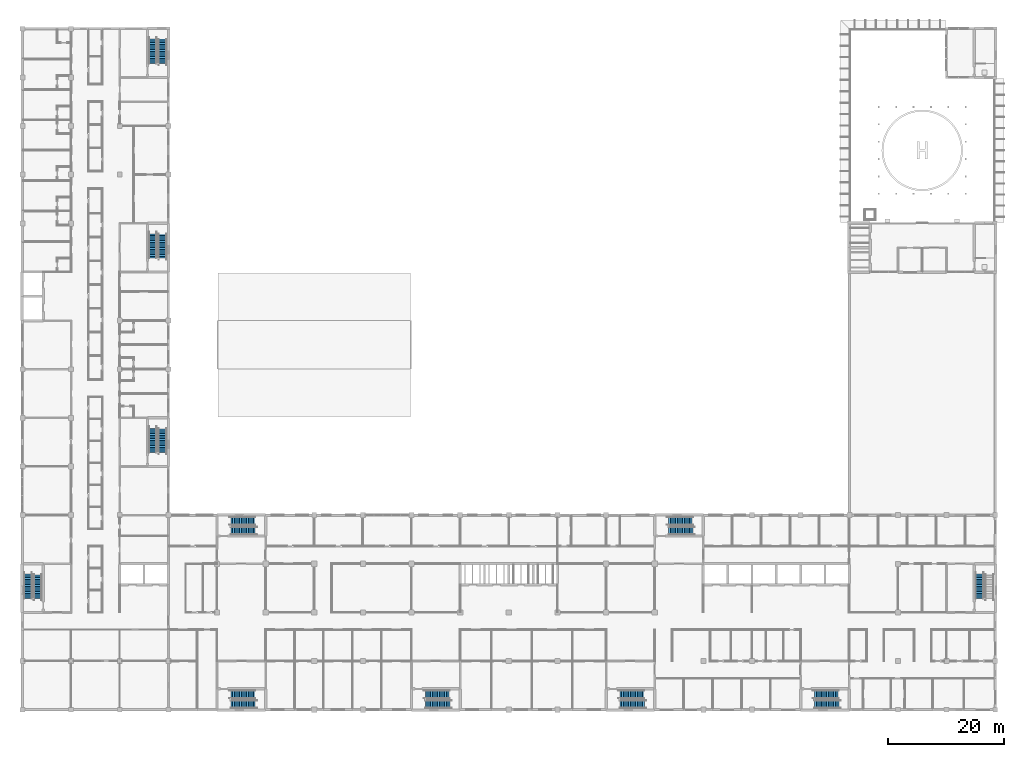
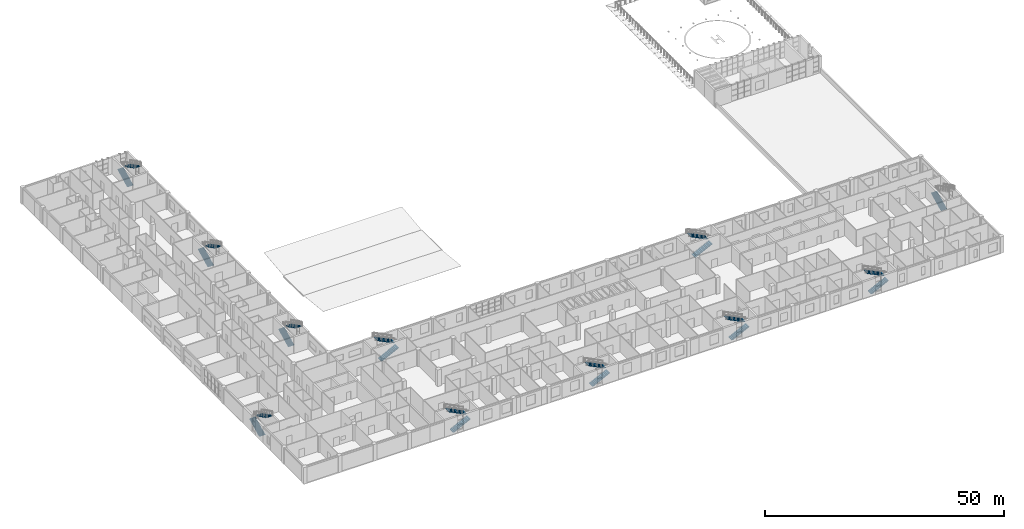
# One storey, part 51 of 66: 21 stair flights, 11 elements without a shape of their own.
"""IFC4 building model written with IfcOpenShell, lengths in metres."""

from ifc_helpers import new_model, si_unit, direction, frame, origin, place, context, subcontext, project, spatial, polyline, outline, extrude, material, type_object, element, aggregate, save


model = new_model("IFC4")

# Units and contexts
model_context = context("Model", 3, precision=1e-05, world=origin(), true_north=direction((0.0, 1.0)))
body_context = subcontext(model_context, "Body", "Model", "MODEL_VIEW")
ifc_project = project(units=[si_unit("LENGTHUNIT", "METRE"), si_unit("AREAUNIT", "SQUARE_METRE"), si_unit("VOLUMEUNIT", "CUBIC_METRE"), si_unit("PLANEANGLEUNIT", "RADIAN"), si_unit("MASSUNIT", "GRAM", prefix="KILO")], contexts=[model_context])

# Site, building, storey
site_placement = place(None, origin())
site = spatial("IfcSite", under=ifc_project, at=site_placement, CompositionType="ELEMENT")
building_placement = place(site_placement, origin())
building = spatial("IfcBuilding", under=site, at=building_placement, Name="Yavir Park General Hospital", CompositionType="ELEMENT")
storey_placement = place(building_placement, frame((0.0, 0.0, 8.39990234375)))
storey = spatial("IfcBuildingStorey", under=building, at=storey_placement, Name="L02", CompositionType="ELEMENT", Elevation=8.39990234375)

# Stair, stair flights
ifc_material_1 = material(Name="Concrete C30/37", Category="concrete")
stair_type = type_object("IfcStairType", Name="Patient escape stair, 30 risers of 150 mm, 1400 mm flights", PredefinedType="HALF_TURN_STAIR", material=ifc_material_1)
stair_1_placement = place(storey_placement, origin())
stair_1 = element("IfcStair", 1, at=stair_1_placement, inside=storey, type_object=stair_type, Name="Stair SU1, L02 to I02", PredefinedType="HALF_TURN_STAIR")
ifc_material_2 = material(Name="Concrete C30/37", Category="concrete")
stair_flight_type = type_object("IfcStairFlightType", Name="Patient escape stair flight, 15 risers, 1400 mm wide", PredefinedType="STRAIGHT", material=ifc_material_2)
stair_flight_1_placement = place(storey_placement, frame((0.949951171875, 19.199951171875, 0.0), z_axis=(0.0, 0.0, 1.0), x_axis=(0.0, 1.0, 0.0)))
stair_flight_1 = element("IfcStairFlight", 2, at=stair_flight_1_placement, type_object=stair_flight_type, Name="SU1 flight 1", NumberOfRisers=15, NumberOfTreads=14, PredefinedType="STRAIGHT", RiserHeight=0.15, TreadLength=0.3, context=body_context, shape_type="SweptSolid", body=[
    extrude(outline(polyline([(0.0, 0.0), (0.0, 0.14990234375), (0.300048828125, 0.14990234375), (0.300048828125, 0.300048828125), (0.60009765625, 0.300048828125), (0.60009765625, 0.449951171875), (0.89990234375, 0.449951171875), (0.89990234375, 0.60009765625), (1.199951171875, 0.60009765625), (1.199951171875, 0.75), (1.5, 0.75), (1.5, 0.89990234375), (1.800048828125, 0.89990234375), (1.800048828125, 1.050048828125), (2.10009765625, 1.050048828125), (2.10009765625, 1.199951171875), (2.39990234375, 1.199951171875), (2.39990234375, 1.35009765625), (2.699951171875, 1.35009765625), (2.699951171875, 1.5), (3.0, 1.5), (3.0, 1.64990234375), (3.300048828125, 1.64990234375), (3.300048828125, 1.800048828125), (3.60009765625, 1.800048828125), (3.60009765625, 1.949951171875), (3.89990234375, 1.949951171875), (3.89990234375, 2.10009765625), (4.199951171875, 2.10009765625), (4.199951171875, 2.25), (4.199951171875, 1.921142578125), (0.357666015625, 0.0), (0.0, 0.0)])), frame((0.0, 0.699951171875, 0.0), z_axis=(0.0, -1.0, 0.0), x_axis=(1.0, 0.0, 0.0)), (0.0, 0.0, 1.0), 1.39990234375),
])
stair_flight_2_placement = place(storey_placement, frame((2.64990234375, 23.39990234375, 2.25), z_axis=(0.0, 0.0, 1.0), x_axis=(0.0, -1.0, 0.0)))
stair_flight_2 = element("IfcStairFlight", 3, at=stair_flight_2_placement, type_object=stair_flight_type, Name="SU1 flight 2", NumberOfRisers=15, NumberOfTreads=14, PredefinedType="STRAIGHT", RiserHeight=0.15, TreadLength=0.3, context=body_context, shape_type="SweptSolid", body=[
    extrude(outline(polyline([(0.0, 0.0), (0.0, 0.14990234375), (0.300048828125, 0.14990234375), (0.300048828125, 0.300048828125), (0.60009765625, 0.300048828125), (0.60009765625, 0.449951171875), (0.89990234375, 0.449951171875), (0.89990234375, 0.60009765625), (1.199951171875, 0.60009765625), (1.199951171875, 0.75), (1.5, 0.75), (1.5, 0.89990234375), (1.800048828125, 0.89990234375), (1.800048828125, 1.050048828125), (2.10009765625, 1.050048828125), (2.10009765625, 1.199951171875), (2.39990234375, 1.199951171875), (2.39990234375, 1.35009765625), (2.699951171875, 1.35009765625), (2.699951171875, 1.5), (3.0, 1.5), (3.0, 1.64990234375), (3.300048828125, 1.64990234375), (3.300048828125, 1.800048828125), (3.60009765625, 1.800048828125), (3.60009765625, 1.949951171875), (3.89990234375, 1.949951171875), (3.89990234375, 2.10009765625), (4.199951171875, 2.10009765625), (4.199951171875, 2.25), (4.199951171875, 1.921142578125), (0.357666015625, 0.0), (0.0, 0.0)])), frame((0.0, 0.699951171875, 0.0), z_axis=(0.0, -1.0, 0.0), x_axis=(1.0, 0.0, 0.0)), (0.0, 0.0, 1.0), 1.39990234375),
])
aggregate(stair_1, [stair_flight_1, stair_flight_2])

stair_2_placement = place(storey_placement, origin())
stair_2 = element("IfcStair", 4, at=stair_2_placement, inside=storey, type_object=stair_type, Name="Stair SU2, L02 to I02", PredefinedType="HALF_TURN_STAIR")
stair_flight_3_placement = place(storey_placement, frame((36.0, 0.949951171875, 0.0), z_axis=(0.0, 0.0, 1.0), x_axis=(1.0, 0.0, 0.0)))
stair_flight_3 = element("IfcStairFlight", 5, at=stair_flight_3_placement, type_object=stair_flight_type, Name="SU2 flight 1", NumberOfRisers=15, NumberOfTreads=14, PredefinedType="STRAIGHT", RiserHeight=0.15, TreadLength=0.3, context=body_context, shape_type="SweptSolid", body=[
    extrude(outline(polyline([(0.0, 0.0), (0.0, 0.14990234375), (0.300048828125, 0.14990234375), (0.300048828125, 0.300048828125), (0.60009765625, 0.300048828125), (0.60009765625, 0.449951171875), (0.89990234375, 0.449951171875), (0.89990234375, 0.60009765625), (1.199951171875, 0.60009765625), (1.199951171875, 0.75), (1.5, 0.75), (1.5, 0.89990234375), (1.800048828125, 0.89990234375), (1.800048828125, 1.050048828125), (2.10009765625, 1.050048828125), (2.10009765625, 1.199951171875), (2.39990234375, 1.199951171875), (2.39990234375, 1.35009765625), (2.699951171875, 1.35009765625), (2.699951171875, 1.5), (3.0, 1.5), (3.0, 1.64990234375), (3.300048828125, 1.64990234375), (3.300048828125, 1.800048828125), (3.60009765625, 1.800048828125), (3.60009765625, 1.949951171875), (3.89990234375, 1.949951171875), (3.89990234375, 2.10009765625), (4.199951171875, 2.10009765625), (4.199951171875, 2.25), (4.199951171875, 1.921142578125), (0.357666015625, 0.0), (0.0, 0.0)])), frame((0.0, 0.699951171875, 0.0), z_axis=(0.0, -1.0, 0.0), x_axis=(1.0, 0.0, 0.0)), (0.0, 0.0, 1.0), 1.39990234375),
])
stair_flight_4_placement = place(storey_placement, frame((40.199951171875, 2.64990234375, 2.25), z_axis=(0.0, 0.0, 1.0), x_axis=(-1.0, 0.0, 0.0)))
stair_flight_4 = element("IfcStairFlight", 6, at=stair_flight_4_placement, type_object=stair_flight_type, Name="SU2 flight 2", NumberOfRisers=15, NumberOfTreads=14, PredefinedType="STRAIGHT", RiserHeight=0.15, TreadLength=0.3, context=body_context, shape_type="SweptSolid", body=[
    extrude(outline(polyline([(0.0, 0.0), (0.0, 0.14990234375), (0.300048828125, 0.14990234375), (0.300048828125, 0.300048828125), (0.60009765625, 0.300048828125), (0.60009765625, 0.449951171875), (0.89990234375, 0.449951171875), (0.89990234375, 0.60009765625), (1.199951171875, 0.60009765625), (1.199951171875, 0.75), (1.5, 0.75), (1.5, 0.89990234375), (1.800048828125, 0.89990234375), (1.800048828125, 1.050048828125), (2.10009765625, 1.050048828125), (2.10009765625, 1.199951171875), (2.39990234375, 1.199951171875), (2.39990234375, 1.35009765625), (2.699951171875, 1.35009765625), (2.699951171875, 1.5), (3.0, 1.5), (3.0, 1.64990234375), (3.300048828125, 1.64990234375), (3.300048828125, 1.800048828125), (3.60009765625, 1.800048828125), (3.60009765625, 1.949951171875), (3.89990234375, 1.949951171875), (3.89990234375, 2.10009765625), (4.199951171875, 2.10009765625), (4.199951171875, 2.25), (4.199951171875, 1.921142578125), (0.357666015625, 0.0), (0.0, 0.0)])), frame((0.0, 0.699951171875, 0.0), z_axis=(0.0, -1.0, 0.0), x_axis=(1.0, 0.0, 0.0)), (0.0, 0.0, 1.0), 1.39990234375),
])
aggregate(stair_2, [stair_flight_3, stair_flight_4])

stair_3_placement = place(storey_placement, origin())
stair_3 = element("IfcStair", 7, at=stair_3_placement, inside=storey, type_object=stair_type, Name="Stair SU3, L02 to I02", PredefinedType="HALF_TURN_STAIR")
stair_flight_5_placement = place(storey_placement, frame((69.60009765625, 0.949951171875, 0.0), z_axis=(0.0, 0.0, 1.0), x_axis=(1.0, 0.0, 0.0)))
stair_flight_5 = element("IfcStairFlight", 8, at=stair_flight_5_placement, type_object=stair_flight_type, Name="SU3 flight 1", NumberOfRisers=15, NumberOfTreads=14, PredefinedType="STRAIGHT", RiserHeight=0.15, TreadLength=0.3, context=body_context, shape_type="SweptSolid", body=[
    extrude(outline(polyline([(0.0, 0.0), (0.0, 0.14990234375), (0.300048828125, 0.14990234375), (0.300048828125, 0.300048828125), (0.60009765625, 0.300048828125), (0.60009765625, 0.449951171875), (0.89990234375, 0.449951171875), (0.89990234375, 0.60009765625), (1.199951171875, 0.60009765625), (1.199951171875, 0.75), (1.5, 0.75), (1.5, 0.89990234375), (1.800048828125, 0.89990234375), (1.800048828125, 1.050048828125), (2.10009765625, 1.050048828125), (2.10009765625, 1.199951171875), (2.39990234375, 1.199951171875), (2.39990234375, 1.35009765625), (2.699951171875, 1.35009765625), (2.699951171875, 1.5), (3.0, 1.5), (3.0, 1.64990234375), (3.300048828125, 1.64990234375), (3.300048828125, 1.800048828125), (3.60009765625, 1.800048828125), (3.60009765625, 1.949951171875), (3.89990234375, 1.949951171875), (3.89990234375, 2.10009765625), (4.199951171875, 2.10009765625), (4.199951171875, 2.25), (4.199951171875, 1.921142578125), (0.357666015625, 0.0), (0.0, 0.0)])), frame((0.0, 0.699951171875, 0.0), z_axis=(0.0, -1.0, 0.0), x_axis=(1.0, 0.0, 0.0)), (0.0, 0.0, 1.0), 1.39990234375),
])
stair_flight_6_placement = place(storey_placement, frame((73.800048828125, 2.64990234375, 2.25), z_axis=(0.0, 0.0, 1.0), x_axis=(-1.0, 0.0, 0.0)))
stair_flight_6 = element("IfcStairFlight", 9, at=stair_flight_6_placement, type_object=stair_flight_type, Name="SU3 flight 2", NumberOfRisers=15, NumberOfTreads=14, PredefinedType="STRAIGHT", RiserHeight=0.15, TreadLength=0.3, context=body_context, shape_type="SweptSolid", body=[
    extrude(outline(polyline([(0.0, 0.0), (0.0, 0.14990234375), (0.300048828125, 0.14990234375), (0.300048828125, 0.300048828125), (0.60009765625, 0.300048828125), (0.60009765625, 0.449951171875), (0.89990234375, 0.449951171875), (0.89990234375, 0.60009765625), (1.199951171875, 0.60009765625), (1.199951171875, 0.75), (1.5, 0.75), (1.5, 0.89990234375), (1.800048828125, 0.89990234375), (1.800048828125, 1.050048828125), (2.10009765625, 1.050048828125), (2.10009765625, 1.199951171875), (2.39990234375, 1.199951171875), (2.39990234375, 1.35009765625), (2.699951171875, 1.35009765625), (2.699951171875, 1.5), (3.0, 1.5), (3.0, 1.64990234375), (3.300048828125, 1.64990234375), (3.300048828125, 1.800048828125), (3.60009765625, 1.800048828125), (3.60009765625, 1.949951171875), (3.89990234375, 1.949951171875), (3.89990234375, 2.10009765625), (4.199951171875, 2.10009765625), (4.199951171875, 2.25), (4.199951171875, 1.921142578125), (0.357666015625, 0.0), (0.0, 0.0)])), frame((0.0, 0.699951171875, 0.0), z_axis=(0.0, -1.0, 0.0), x_axis=(1.0, 0.0, 0.0)), (0.0, 0.0, 1.0), 1.39990234375),
])
aggregate(stair_3, [stair_flight_5, stair_flight_6])

stair_4_placement = place(storey_placement, origin())
stair_4 = element("IfcStair", 10, at=stair_4_placement, inside=storey, type_object=stair_type, Name="Stair SU4, L02 to I02", PredefinedType="HALF_TURN_STAIR")
stair_flight_7_placement = place(storey_placement, frame((103.199951171875, 0.949951171875, 0.0), z_axis=(0.0, 0.0, 1.0), x_axis=(1.0, 0.0, 0.0)))
stair_flight_7 = element("IfcStairFlight", 11, at=stair_flight_7_placement, type_object=stair_flight_type, Name="SU4 flight 1", NumberOfRisers=15, NumberOfTreads=14, PredefinedType="STRAIGHT", RiserHeight=0.15, TreadLength=0.3, context=body_context, shape_type="SweptSolid", body=[
    extrude(outline(polyline([(0.0, 0.0), (0.0, 0.14990234375), (0.300048828125, 0.14990234375), (0.300048828125, 0.300048828125), (0.60009765625, 0.300048828125), (0.60009765625, 0.449951171875), (0.89990234375, 0.449951171875), (0.89990234375, 0.60009765625), (1.199951171875, 0.60009765625), (1.199951171875, 0.75), (1.5, 0.75), (1.5, 0.89990234375), (1.800048828125, 0.89990234375), (1.800048828125, 1.050048828125), (2.10009765625, 1.050048828125), (2.10009765625, 1.199951171875), (2.39990234375, 1.199951171875), (2.39990234375, 1.35009765625), (2.699951171875, 1.35009765625), (2.699951171875, 1.5), (3.0, 1.5), (3.0, 1.64990234375), (3.300048828125, 1.64990234375), (3.300048828125, 1.800048828125), (3.60009765625, 1.800048828125), (3.60009765625, 1.949951171875), (3.89990234375, 1.949951171875), (3.89990234375, 2.10009765625), (4.199951171875, 2.10009765625), (4.199951171875, 2.25), (4.199951171875, 1.921142578125), (0.357666015625, 0.0), (0.0, 0.0)])), frame((0.0, 0.699951171875, 0.0), z_axis=(0.0, -1.0, 0.0), x_axis=(1.0, 0.0, 0.0)), (0.0, 0.0, 1.0), 1.39990234375),
])
stair_flight_8_placement = place(storey_placement, frame((107.39990234375, 2.64990234375, 2.25), z_axis=(0.0, 0.0, 1.0), x_axis=(-1.0, 0.0, 0.0)))
stair_flight_8 = element("IfcStairFlight", 12, at=stair_flight_8_placement, type_object=stair_flight_type, Name="SU4 flight 2", NumberOfRisers=15, NumberOfTreads=14, PredefinedType="STRAIGHT", RiserHeight=0.15, TreadLength=0.3, context=body_context, shape_type="SweptSolid", body=[
    extrude(outline(polyline([(0.0, 0.0), (0.0, 0.14990234375), (0.300048828125, 0.14990234375), (0.300048828125, 0.300048828125), (0.60009765625, 0.300048828125), (0.60009765625, 0.449951171875), (0.89990234375, 0.449951171875), (0.89990234375, 0.60009765625), (1.199951171875, 0.60009765625), (1.199951171875, 0.75), (1.5, 0.75), (1.5, 0.89990234375), (1.800048828125, 0.89990234375), (1.800048828125, 1.050048828125), (2.10009765625, 1.050048828125), (2.10009765625, 1.199951171875), (2.39990234375, 1.199951171875), (2.39990234375, 1.35009765625), (2.699951171875, 1.35009765625), (2.699951171875, 1.5), (3.0, 1.5), (3.0, 1.64990234375), (3.300048828125, 1.64990234375), (3.300048828125, 1.800048828125), (3.60009765625, 1.800048828125), (3.60009765625, 1.949951171875), (3.89990234375, 1.949951171875), (3.89990234375, 2.10009765625), (4.199951171875, 2.10009765625), (4.199951171875, 2.25), (4.199951171875, 1.921142578125), (0.357666015625, 0.0), (0.0, 0.0)])), frame((0.0, 0.699951171875, 0.0), z_axis=(0.0, -1.0, 0.0), x_axis=(1.0, 0.0, 0.0)), (0.0, 0.0, 1.0), 1.39990234375),
])
aggregate(stair_4, [stair_flight_7, stair_flight_8])

stair_5_placement = place(storey_placement, origin())
stair_5 = element("IfcStair", 13, at=stair_5_placement, inside=storey, type_object=stair_type, Name="Stair SU5, L02 to I02", PredefinedType="HALF_TURN_STAIR")
stair_flight_9_placement = place(storey_placement, frame((136.800048828125, 0.949951171875, 0.0), z_axis=(0.0, 0.0, 1.0), x_axis=(1.0, 0.0, 0.0)))
stair_flight_9 = element("IfcStairFlight", 14, at=stair_flight_9_placement, type_object=stair_flight_type, Name="SU5 flight 1", NumberOfRisers=15, NumberOfTreads=14, PredefinedType="STRAIGHT", RiserHeight=0.15, TreadLength=0.3, context=body_context, shape_type="SweptSolid", body=[
    extrude(outline(polyline([(0.0, 0.0), (0.0, 0.14990234375), (0.300048828125, 0.14990234375), (0.300048828125, 0.300048828125), (0.60009765625, 0.300048828125), (0.60009765625, 0.449951171875), (0.89990234375, 0.449951171875), (0.89990234375, 0.60009765625), (1.199951171875, 0.60009765625), (1.199951171875, 0.75), (1.5, 0.75), (1.5, 0.89990234375), (1.800048828125, 0.89990234375), (1.800048828125, 1.050048828125), (2.10009765625, 1.050048828125), (2.10009765625, 1.199951171875), (2.39990234375, 1.199951171875), (2.39990234375, 1.35009765625), (2.699951171875, 1.35009765625), (2.699951171875, 1.5), (3.0, 1.5), (3.0, 1.64990234375), (3.300048828125, 1.64990234375), (3.300048828125, 1.800048828125), (3.60009765625, 1.800048828125), (3.60009765625, 1.949951171875), (3.89990234375, 1.949951171875), (3.89990234375, 2.10009765625), (4.199951171875, 2.10009765625), (4.199951171875, 2.25), (4.199951171875, 1.921142578125), (0.357666015625, 0.0), (0.0, 0.0)])), frame((0.0, 0.699951171875, 0.0), z_axis=(0.0, -1.0, 0.0), x_axis=(1.0, 0.0, 0.0)), (0.0, 0.0, 1.0), 1.39990234375),
])
stair_flight_10_placement = place(storey_placement, frame((141.0, 2.64990234375, 2.25), z_axis=(0.0, 0.0, 1.0), x_axis=(-1.0, 0.0, 0.0)))
stair_flight_10 = element("IfcStairFlight", 15, at=stair_flight_10_placement, type_object=stair_flight_type, Name="SU5 flight 2", NumberOfRisers=15, NumberOfTreads=14, PredefinedType="STRAIGHT", RiserHeight=0.15, TreadLength=0.3, context=body_context, shape_type="SweptSolid", body=[
    extrude(outline(polyline([(0.0, 0.0), (0.0, 0.14990234375), (0.300048828125, 0.14990234375), (0.300048828125, 0.300048828125), (0.60009765625, 0.300048828125), (0.60009765625, 0.449951171875), (0.89990234375, 0.449951171875), (0.89990234375, 0.60009765625), (1.199951171875, 0.60009765625), (1.199951171875, 0.75), (1.5, 0.75), (1.5, 0.89990234375), (1.800048828125, 0.89990234375), (1.800048828125, 1.050048828125), (2.10009765625, 1.050048828125), (2.10009765625, 1.199951171875), (2.39990234375, 1.199951171875), (2.39990234375, 1.35009765625), (2.699951171875, 1.35009765625), (2.699951171875, 1.5), (3.0, 1.5), (3.0, 1.64990234375), (3.300048828125, 1.64990234375), (3.300048828125, 1.800048828125), (3.60009765625, 1.800048828125), (3.60009765625, 1.949951171875), (3.89990234375, 1.949951171875), (3.89990234375, 2.10009765625), (4.199951171875, 2.10009765625), (4.199951171875, 2.25), (4.199951171875, 1.921142578125), (0.357666015625, 0.0), (0.0, 0.0)])), frame((0.0, 0.699951171875, 0.0), z_axis=(0.0, -1.0, 0.0), x_axis=(1.0, 0.0, 0.0)), (0.0, 0.0, 1.0), 1.39990234375),
])
aggregate(stair_5, [stair_flight_9, stair_flight_10])

# Stair, stair flight
stair_6_placement = place(storey_placement, origin())
stair_6 = element("IfcStair", 16, at=stair_6_placement, inside=storey, type_object=stair_type, Name="Stair SU6, L02 to I02", PredefinedType="HALF_TURN_STAIR")
stair_flight_11_placement = place(storey_placement, frame((165.300048828125, 19.199951171875, 0.0), z_axis=(0.0, 0.0, 1.0), x_axis=(0.0, 1.0, 0.0)))
stair_flight_11 = element("IfcStairFlight", 17, at=stair_flight_11_placement, type_object=stair_flight_type, Name="SU6 flight 1", NumberOfRisers=15, NumberOfTreads=14, PredefinedType="STRAIGHT", RiserHeight=0.15, TreadLength=0.3, context=body_context, shape_type="SweptSolid", body=[
    extrude(outline(polyline([(0.0, 0.0), (0.0, 0.14990234375), (0.300048828125, 0.14990234375), (0.300048828125, 0.300048828125), (0.60009765625, 0.300048828125), (0.60009765625, 0.449951171875), (0.89990234375, 0.449951171875), (0.89990234375, 0.60009765625), (1.199951171875, 0.60009765625), (1.199951171875, 0.75), (1.5, 0.75), (1.5, 0.89990234375), (1.800048828125, 0.89990234375), (1.800048828125, 1.050048828125), (2.10009765625, 1.050048828125), (2.10009765625, 1.199951171875), (2.39990234375, 1.199951171875), (2.39990234375, 1.35009765625), (2.699951171875, 1.35009765625), (2.699951171875, 1.5), (3.0, 1.5), (3.0, 1.64990234375), (3.300048828125, 1.64990234375), (3.300048828125, 1.800048828125), (3.60009765625, 1.800048828125), (3.60009765625, 1.949951171875), (3.89990234375, 1.949951171875), (3.89990234375, 2.10009765625), (4.199951171875, 2.10009765625), (4.199951171875, 2.25), (4.199951171875, 1.921142578125), (0.357666015625, 0.0), (0.0, 0.0)])), frame((0.0, 0.699951171875, 0.0), z_axis=(0.0, -1.0, 0.0), x_axis=(1.0, 0.0, 0.0)), (0.0, 0.0, 1.0), 1.39990234375),
])
aggregate(stair_6, [stair_flight_11])

# Stair, stair flights
stair_7_placement = place(storey_placement, origin())
stair_7 = element("IfcStair", 18, at=stair_7_placement, inside=storey, type_object=stair_type, Name="Stair PN1, L02 to I02", PredefinedType="HALF_TURN_STAIR")
stair_flight_12_placement = place(storey_placement, frame((36.0, 30.89990234375, 0.0), z_axis=(0.0, 0.0, 1.0), x_axis=(1.0, 0.0, 0.0)))
stair_flight_12 = element("IfcStairFlight", 19, at=stair_flight_12_placement, type_object=stair_flight_type, Name="PN1 flight 1", NumberOfRisers=15, NumberOfTreads=14, PredefinedType="STRAIGHT", RiserHeight=0.15, TreadLength=0.3, context=body_context, shape_type="SweptSolid", body=[
    extrude(outline(polyline([(0.0, 0.0), (0.0, 0.14990234375), (0.300048828125, 0.14990234375), (0.300048828125, 0.300048828125), (0.60009765625, 0.300048828125), (0.60009765625, 0.449951171875), (0.89990234375, 0.449951171875), (0.89990234375, 0.60009765625), (1.199951171875, 0.60009765625), (1.199951171875, 0.75), (1.5, 0.75), (1.5, 0.89990234375), (1.800048828125, 0.89990234375), (1.800048828125, 1.050048828125), (2.10009765625, 1.050048828125), (2.10009765625, 1.199951171875), (2.39990234375, 1.199951171875), (2.39990234375, 1.35009765625), (2.699951171875, 1.35009765625), (2.699951171875, 1.5), (3.0, 1.5), (3.0, 1.64990234375), (3.300048828125, 1.64990234375), (3.300048828125, 1.800048828125), (3.60009765625, 1.800048828125), (3.60009765625, 1.949951171875), (3.89990234375, 1.949951171875), (3.89990234375, 2.10009765625), (4.199951171875, 2.10009765625), (4.199951171875, 2.25), (4.199951171875, 1.921142578125), (0.357666015625, 0.0), (0.0, 0.0)])), frame((0.0, 0.699951171875, 0.0), z_axis=(0.0, -1.0, 0.0), x_axis=(1.0, 0.0, 0.0)), (0.0, 0.0, 1.0), 1.39990234375),
])
stair_flight_13_placement = place(storey_placement, frame((40.199951171875, 32.60009765625, 2.25), z_axis=(0.0, 0.0, 1.0), x_axis=(-1.0, 0.0, 0.0)))
stair_flight_13 = element("IfcStairFlight", 20, at=stair_flight_13_placement, type_object=stair_flight_type, Name="PN1 flight 2", NumberOfRisers=15, NumberOfTreads=14, PredefinedType="STRAIGHT", RiserHeight=0.15, TreadLength=0.3, context=body_context, shape_type="SweptSolid", body=[
    extrude(outline(polyline([(0.0, 0.0), (0.0, 0.14990234375), (0.300048828125, 0.14990234375), (0.300048828125, 0.300048828125), (0.60009765625, 0.300048828125), (0.60009765625, 0.449951171875), (0.89990234375, 0.449951171875), (0.89990234375, 0.60009765625), (1.199951171875, 0.60009765625), (1.199951171875, 0.75), (1.5, 0.75), (1.5, 0.89990234375), (1.800048828125, 0.89990234375), (1.800048828125, 1.050048828125), (2.10009765625, 1.050048828125), (2.10009765625, 1.199951171875), (2.39990234375, 1.199951171875), (2.39990234375, 1.35009765625), (2.699951171875, 1.35009765625), (2.699951171875, 1.5), (3.0, 1.5), (3.0, 1.64990234375), (3.300048828125, 1.64990234375), (3.300048828125, 1.800048828125), (3.60009765625, 1.800048828125), (3.60009765625, 1.949951171875), (3.89990234375, 1.949951171875), (3.89990234375, 2.10009765625), (4.199951171875, 2.10009765625), (4.199951171875, 2.25), (4.199951171875, 1.921142578125), (0.357666015625, 0.0), (0.0, 0.0)])), frame((0.0, 0.699951171875, 0.0), z_axis=(0.0, -1.0, 0.0), x_axis=(1.0, 0.0, 0.0)), (0.0, 0.0, 1.0), 1.39990234375),
])
aggregate(stair_7, [stair_flight_12, stair_flight_13])

stair_8_placement = place(storey_placement, origin())
stair_8 = element("IfcStair", 21, at=stair_8_placement, inside=storey, type_object=stair_type, Name="Stair PN2, L02 to I02", PredefinedType="HALF_TURN_STAIR")
stair_flight_14_placement = place(storey_placement, frame((111.60009765625, 30.89990234375, 0.0), z_axis=(0.0, 0.0, 1.0), x_axis=(1.0, 0.0, 0.0)))
stair_flight_14 = element("IfcStairFlight", 22, at=stair_flight_14_placement, type_object=stair_flight_type, Name="PN2 flight 1", NumberOfRisers=15, NumberOfTreads=14, PredefinedType="STRAIGHT", RiserHeight=0.15, TreadLength=0.3, context=body_context, shape_type="SweptSolid", body=[
    extrude(outline(polyline([(0.0, 0.0), (0.0, 0.14990234375), (0.300048828125, 0.14990234375), (0.300048828125, 0.300048828125), (0.60009765625, 0.300048828125), (0.60009765625, 0.449951171875), (0.89990234375, 0.449951171875), (0.89990234375, 0.60009765625), (1.199951171875, 0.60009765625), (1.199951171875, 0.75), (1.5, 0.75), (1.5, 0.89990234375), (1.800048828125, 0.89990234375), (1.800048828125, 1.050048828125), (2.10009765625, 1.050048828125), (2.10009765625, 1.199951171875), (2.39990234375, 1.199951171875), (2.39990234375, 1.35009765625), (2.699951171875, 1.35009765625), (2.699951171875, 1.5), (3.0, 1.5), (3.0, 1.64990234375), (3.300048828125, 1.64990234375), (3.300048828125, 1.800048828125), (3.60009765625, 1.800048828125), (3.60009765625, 1.949951171875), (3.89990234375, 1.949951171875), (3.89990234375, 2.10009765625), (4.199951171875, 2.10009765625), (4.199951171875, 2.25), (4.199951171875, 1.921142578125), (0.357666015625, 0.0), (0.0, 0.0)])), frame((0.0, 0.699951171875, 0.0), z_axis=(0.0, -1.0, 0.0), x_axis=(1.0, 0.0, 0.0)), (0.0, 0.0, 1.0), 1.39990234375),
])
stair_flight_15_placement = place(storey_placement, frame((115.800048828125, 32.60009765625, 2.25), z_axis=(0.0, 0.0, 1.0), x_axis=(-1.0, 0.0, 0.0)))
stair_flight_15 = element("IfcStairFlight", 23, at=stair_flight_15_placement, type_object=stair_flight_type, Name="PN2 flight 2", NumberOfRisers=15, NumberOfTreads=14, PredefinedType="STRAIGHT", RiserHeight=0.15, TreadLength=0.3, context=body_context, shape_type="SweptSolid", body=[
    extrude(outline(polyline([(0.0, 0.0), (0.0, 0.14990234375), (0.300048828125, 0.14990234375), (0.300048828125, 0.300048828125), (0.60009765625, 0.300048828125), (0.60009765625, 0.449951171875), (0.89990234375, 0.449951171875), (0.89990234375, 0.60009765625), (1.199951171875, 0.60009765625), (1.199951171875, 0.75), (1.5, 0.75), (1.5, 0.89990234375), (1.800048828125, 0.89990234375), (1.800048828125, 1.050048828125), (2.10009765625, 1.050048828125), (2.10009765625, 1.199951171875), (2.39990234375, 1.199951171875), (2.39990234375, 1.35009765625), (2.699951171875, 1.35009765625), (2.699951171875, 1.5), (3.0, 1.5), (3.0, 1.64990234375), (3.300048828125, 1.64990234375), (3.300048828125, 1.800048828125), (3.60009765625, 1.800048828125), (3.60009765625, 1.949951171875), (3.89990234375, 1.949951171875), (3.89990234375, 2.10009765625), (4.199951171875, 2.10009765625), (4.199951171875, 2.25), (4.199951171875, 1.921142578125), (0.357666015625, 0.0), (0.0, 0.0)])), frame((0.0, 0.699951171875, 0.0), z_axis=(0.0, -1.0, 0.0), x_axis=(1.0, 0.0, 0.0)), (0.0, 0.0, 1.0), 1.39990234375),
])
aggregate(stair_8, [stair_flight_14, stair_flight_15])

stair_9_placement = place(storey_placement, origin())
stair_9 = element("IfcStair", 24, at=stair_9_placement, inside=storey, type_object=stair_type, Name="Stair SW1, L02 to I02", PredefinedType="HALF_TURN_STAIR")
stair_flight_16_placement = place(storey_placement, frame((22.5, 44.39990234375, 0.0), z_axis=(0.0, 0.0, 1.0), x_axis=(0.0, 1.0, 0.0)))
stair_flight_16 = element("IfcStairFlight", 25, at=stair_flight_16_placement, type_object=stair_flight_type, Name="SW1 flight 1", NumberOfRisers=15, NumberOfTreads=14, PredefinedType="STRAIGHT", RiserHeight=0.15, TreadLength=0.3, context=body_context, shape_type="SweptSolid", body=[
    extrude(outline(polyline([(0.0, 0.0), (0.0, 0.14990234375), (0.300048828125, 0.14990234375), (0.300048828125, 0.300048828125), (0.60009765625, 0.300048828125), (0.60009765625, 0.449951171875), (0.89990234375, 0.449951171875), (0.89990234375, 0.60009765625), (1.199951171875, 0.60009765625), (1.199951171875, 0.75), (1.5, 0.75), (1.5, 0.89990234375), (1.800048828125, 0.89990234375), (1.800048828125, 1.050048828125), (2.10009765625, 1.050048828125), (2.10009765625, 1.199951171875), (2.39990234375, 1.199951171875), (2.39990234375, 1.35009765625), (2.699951171875, 1.35009765625), (2.699951171875, 1.5), (3.0, 1.5), (3.0, 1.64990234375), (3.300048828125, 1.64990234375), (3.300048828125, 1.800048828125), (3.60009765625, 1.800048828125), (3.60009765625, 1.949951171875), (3.89990234375, 1.949951171875), (3.89990234375, 2.10009765625), (4.199951171875, 2.10009765625), (4.199951171875, 2.25), (4.199951171875, 1.921142578125), (0.357666015625, 0.0), (0.0, 0.0)])), frame((0.0, 0.699951171875, 0.0), z_axis=(0.0, -1.0, 0.0), x_axis=(1.0, 0.0, 0.0)), (0.0, 0.0, 1.0), 1.39990234375),
])
stair_flight_17_placement = place(storey_placement, frame((24.199951171875, 48.60009765625, 2.25), z_axis=(0.0, 0.0, 1.0), x_axis=(0.0, -1.0, 0.0)))
stair_flight_17 = element("IfcStairFlight", 26, at=stair_flight_17_placement, type_object=stair_flight_type, Name="SW1 flight 2", NumberOfRisers=15, NumberOfTreads=14, PredefinedType="STRAIGHT", RiserHeight=0.15, TreadLength=0.3, context=body_context, shape_type="SweptSolid", body=[
    extrude(outline(polyline([(0.0, 0.0), (0.0, 0.14990234375), (0.300048828125, 0.14990234375), (0.300048828125, 0.300048828125), (0.60009765625, 0.300048828125), (0.60009765625, 0.449951171875), (0.89990234375, 0.449951171875), (0.89990234375, 0.60009765625), (1.199951171875, 0.60009765625), (1.199951171875, 0.75), (1.5, 0.75), (1.5, 0.89990234375), (1.800048828125, 0.89990234375), (1.800048828125, 1.050048828125), (2.10009765625, 1.050048828125), (2.10009765625, 1.199951171875), (2.39990234375, 1.199951171875), (2.39990234375, 1.35009765625), (2.699951171875, 1.35009765625), (2.699951171875, 1.5), (3.0, 1.5), (3.0, 1.64990234375), (3.300048828125, 1.64990234375), (3.300048828125, 1.800048828125), (3.60009765625, 1.800048828125), (3.60009765625, 1.949951171875), (3.89990234375, 1.949951171875), (3.89990234375, 2.10009765625), (4.199951171875, 2.10009765625), (4.199951171875, 2.25), (4.199951171875, 1.921142578125), (0.357666015625, 0.0), (0.0, 0.0)])), frame((0.0, 0.699951171875, 0.0), z_axis=(0.0, -1.0, 0.0), x_axis=(1.0, 0.0, 0.0)), (0.0, 0.0, 1.0), 1.39990234375),
])
aggregate(stair_9, [stair_flight_16, stair_flight_17])

stair_10_placement = place(storey_placement, origin())
stair_10 = element("IfcStair", 27, at=stair_10_placement, inside=storey, type_object=stair_type, Name="Stair SW2, L02 to I02", PredefinedType="HALF_TURN_STAIR")
stair_flight_18_placement = place(storey_placement, frame((22.5, 78.0, 0.0), z_axis=(0.0, 0.0, 1.0), x_axis=(0.0, 1.0, 0.0)))
stair_flight_18 = element("IfcStairFlight", 28, at=stair_flight_18_placement, type_object=stair_flight_type, Name="SW2 flight 1", NumberOfRisers=15, NumberOfTreads=14, PredefinedType="STRAIGHT", RiserHeight=0.15, TreadLength=0.3, context=body_context, shape_type="SweptSolid", body=[
    extrude(outline(polyline([(0.0, 0.0), (0.0, 0.14990234375), (0.300048828125, 0.14990234375), (0.300048828125, 0.300048828125), (0.60009765625, 0.300048828125), (0.60009765625, 0.449951171875), (0.89990234375, 0.449951171875), (0.89990234375, 0.60009765625), (1.199951171875, 0.60009765625), (1.199951171875, 0.75), (1.5, 0.75), (1.5, 0.89990234375), (1.800048828125, 0.89990234375), (1.800048828125, 1.050048828125), (2.10009765625, 1.050048828125), (2.10009765625, 1.199951171875), (2.39990234375, 1.199951171875), (2.39990234375, 1.35009765625), (2.699951171875, 1.35009765625), (2.699951171875, 1.5), (3.0, 1.5), (3.0, 1.64990234375), (3.300048828125, 1.64990234375), (3.300048828125, 1.800048828125), (3.60009765625, 1.800048828125), (3.60009765625, 1.949951171875), (3.89990234375, 1.949951171875), (3.89990234375, 2.10009765625), (4.199951171875, 2.10009765625), (4.199951171875, 2.25), (4.199951171875, 1.921142578125), (0.357666015625, 0.0), (0.0, 0.0)])), frame((0.0, 0.699951171875, 0.0), z_axis=(0.0, -1.0, 0.0), x_axis=(1.0, 0.0, 0.0)), (0.0, 0.0, 1.0), 1.39990234375),
])
stair_flight_19_placement = place(storey_placement, frame((24.199951171875, 82.199951171875, 2.25), z_axis=(0.0, 0.0, 1.0), x_axis=(0.0, -1.0, 0.0)))
stair_flight_19 = element("IfcStairFlight", 29, at=stair_flight_19_placement, type_object=stair_flight_type, Name="SW2 flight 2", NumberOfRisers=15, NumberOfTreads=14, PredefinedType="STRAIGHT", RiserHeight=0.15, TreadLength=0.3, context=body_context, shape_type="SweptSolid", body=[
    extrude(outline(polyline([(0.0, 0.0), (0.0, 0.14990234375), (0.300048828125, 0.14990234375), (0.300048828125, 0.300048828125), (0.60009765625, 0.300048828125), (0.60009765625, 0.449951171875), (0.89990234375, 0.449951171875), (0.89990234375, 0.60009765625), (1.199951171875, 0.60009765625), (1.199951171875, 0.75), (1.5, 0.75), (1.5, 0.89990234375), (1.800048828125, 0.89990234375), (1.800048828125, 1.050048828125), (2.10009765625, 1.050048828125), (2.10009765625, 1.199951171875), (2.39990234375, 1.199951171875), (2.39990234375, 1.35009765625), (2.699951171875, 1.35009765625), (2.699951171875, 1.5), (3.0, 1.5), (3.0, 1.64990234375), (3.300048828125, 1.64990234375), (3.300048828125, 1.800048828125), (3.60009765625, 1.800048828125), (3.60009765625, 1.949951171875), (3.89990234375, 1.949951171875), (3.89990234375, 2.10009765625), (4.199951171875, 2.10009765625), (4.199951171875, 2.25), (4.199951171875, 1.921142578125), (0.357666015625, 0.0), (0.0, 0.0)])), frame((0.0, 0.699951171875, 0.0), z_axis=(0.0, -1.0, 0.0), x_axis=(1.0, 0.0, 0.0)), (0.0, 0.0, 1.0), 1.39990234375),
])
aggregate(stair_10, [stair_flight_18, stair_flight_19])

stair_11_placement = place(storey_placement, origin())
stair_11 = element("IfcStair", 30, at=stair_11_placement, inside=storey, type_object=stair_type, Name="Stair SW3, L02 to I02", PredefinedType="HALF_TURN_STAIR")
stair_flight_20_placement = place(storey_placement, frame((22.5, 111.60009765625, 0.0), z_axis=(0.0, 0.0, 1.0), x_axis=(0.0, 1.0, 0.0)))
stair_flight_20 = element("IfcStairFlight", 31, at=stair_flight_20_placement, type_object=stair_flight_type, Name="SW3 flight 1", NumberOfRisers=15, NumberOfTreads=14, PredefinedType="STRAIGHT", RiserHeight=0.15, TreadLength=0.3, context=body_context, shape_type="SweptSolid", body=[
    extrude(outline(polyline([(0.0, 0.0), (0.0, 0.14990234375), (0.300048828125, 0.14990234375), (0.300048828125, 0.300048828125), (0.60009765625, 0.300048828125), (0.60009765625, 0.449951171875), (0.89990234375, 0.449951171875), (0.89990234375, 0.60009765625), (1.199951171875, 0.60009765625), (1.199951171875, 0.75), (1.5, 0.75), (1.5, 0.89990234375), (1.800048828125, 0.89990234375), (1.800048828125, 1.050048828125), (2.10009765625, 1.050048828125), (2.10009765625, 1.199951171875), (2.39990234375, 1.199951171875), (2.39990234375, 1.35009765625), (2.699951171875, 1.35009765625), (2.699951171875, 1.5), (3.0, 1.5), (3.0, 1.64990234375), (3.300048828125, 1.64990234375), (3.300048828125, 1.800048828125), (3.60009765625, 1.800048828125), (3.60009765625, 1.949951171875), (3.89990234375, 1.949951171875), (3.89990234375, 2.10009765625), (4.199951171875, 2.10009765625), (4.199951171875, 2.25), (4.199951171875, 1.921142578125), (0.357666015625, 0.0), (0.0, 0.0)])), frame((0.0, 0.699951171875, 0.0), z_axis=(0.0, -1.0, 0.0), x_axis=(1.0, 0.0, 0.0)), (0.0, 0.0, 1.0), 1.39990234375),
])
stair_flight_21_placement = place(storey_placement, frame((24.199951171875, 115.800048828125, 2.25), z_axis=(0.0, 0.0, 1.0), x_axis=(0.0, -1.0, 0.0)))
stair_flight_21 = element("IfcStairFlight", 32, at=stair_flight_21_placement, type_object=stair_flight_type, Name="SW3 flight 2", NumberOfRisers=15, NumberOfTreads=14, PredefinedType="STRAIGHT", RiserHeight=0.15, TreadLength=0.3, context=body_context, shape_type="SweptSolid", body=[
    extrude(outline(polyline([(0.0, 0.0), (0.0, 0.14990234375), (0.300048828125, 0.14990234375), (0.300048828125, 0.300048828125), (0.60009765625, 0.300048828125), (0.60009765625, 0.449951171875), (0.89990234375, 0.449951171875), (0.89990234375, 0.60009765625), (1.199951171875, 0.60009765625), (1.199951171875, 0.75), (1.5, 0.75), (1.5, 0.89990234375), (1.800048828125, 0.89990234375), (1.800048828125, 1.050048828125), (2.10009765625, 1.050048828125), (2.10009765625, 1.199951171875), (2.39990234375, 1.199951171875), (2.39990234375, 1.35009765625), (2.699951171875, 1.35009765625), (2.699951171875, 1.5), (3.0, 1.5), (3.0, 1.64990234375), (3.300048828125, 1.64990234375), (3.300048828125, 1.800048828125), (3.60009765625, 1.800048828125), (3.60009765625, 1.949951171875), (3.89990234375, 1.949951171875), (3.89990234375, 2.10009765625), (4.199951171875, 2.10009765625), (4.199951171875, 2.25), (4.199951171875, 1.921142578125), (0.357666015625, 0.0), (0.0, 0.0)])), frame((0.0, 0.699951171875, 0.0), z_axis=(0.0, -1.0, 0.0), x_axis=(1.0, 0.0, 0.0)), (0.0, 0.0, 1.0), 1.39990234375),
])
aggregate(stair_11, [stair_flight_20, stair_flight_21])

save(model, "model.ifc")
